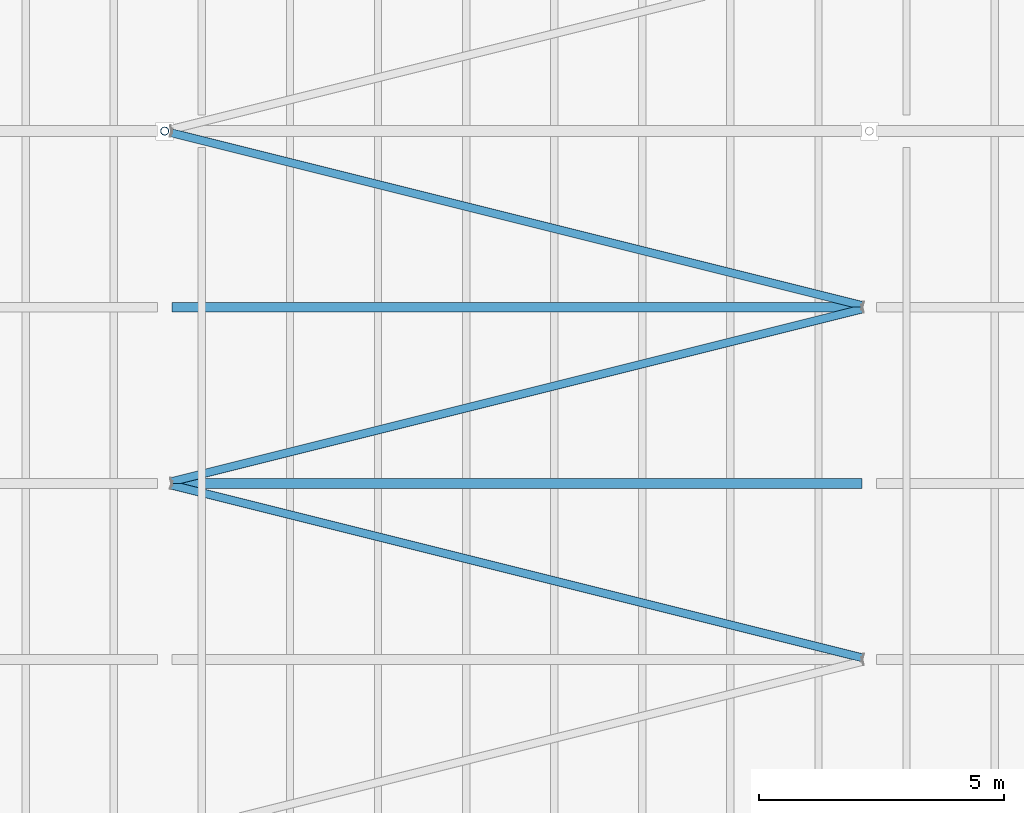
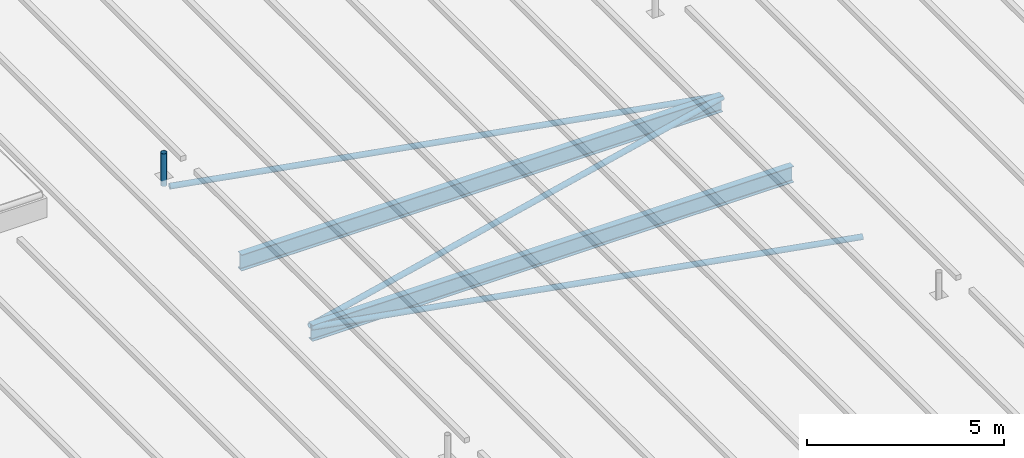
# One storey, part 48 of 120: 4 members, 2 beams.
"""IFC4 building model written with IfcOpenShell, lengths in metres."""

from ifc_helpers import new_model, si_unit, direction, frame, origin, origin_2d, place, context, subcontext, project, spatial, hollow_circle, i_section, extrude, material, material_profile, profile_set, type_object, element, save


model = new_model("IFC4")

# Units and contexts
model_context = context("Model", 3, precision=1e-05, world=origin(), true_north=direction((0.0, 1.0)))
body_context = subcontext(model_context, "Body", "Model", "MODEL_VIEW")
ifc_project = project(units=[si_unit("LENGTHUNIT", "METRE"), si_unit("AREAUNIT", "SQUARE_METRE"), si_unit("VOLUMEUNIT", "CUBIC_METRE"), si_unit("PLANEANGLEUNIT", "RADIAN"), si_unit("MASSUNIT", "GRAM", prefix="KILO")], contexts=[model_context])

# Site, building, storey
site_placement = place(None, origin())
site = spatial("IfcSite", under=ifc_project, at=site_placement, CompositionType="ELEMENT")
building_placement = place(site_placement, origin())
building = spatial("IfcBuilding", under=site, at=building_placement, Name="Kupolbacken Congress Centre", CompositionType="ELEMENT")
storey_placement = place(building_placement, frame((0.0, 0.0, 21.60009765625)))
storey = spatial("IfcBuildingStorey", under=building, at=storey_placement, Name="L06", CompositionType="ELEMENT", Elevation=21.60009765625)

# Beams
ifc_material_1 = material(Name="Steel S355", Category="steel")
ifc_material_profile_1 = material_profile(ifc_material_1, i_section(OverallWidth=0.199951171875, OverallDepth=0.5, WebThickness=0.01025390625, FlangeThickness=0.01611328125, FilletRadius=0.02099609375, at=origin_2d()), Name="IPE 500")
ifc_profile_set_1 = profile_set([ifc_material_profile_1], Name="Steel S355")
beam_type = type_object("IfcBeamType", Name="B09 beam IPE 500", PredefinedType="BEAM", material=ifc_profile_set_1)
for number, where, z_axis, x_axis, name in (
    (1, (151.344970703125, 90.0, -0.25), (1.0, 0.0, 0.0), (0.0, 1.0, 0.0), "HR/P13-05"),
    (2, (151.344970703125, 93.60009765625, -0.25), (1.0, 0.0, 0.0), (0.0, 1.0, 0.0), "HR/P14-05"),
):
    element("IfcBeam", number, at=place(storey_placement, frame(where, z_axis=z_axis, x_axis=x_axis)), inside=storey, type_object=beam_type, Name=name, PredefinedType="BEAM", context=body_context, shape_type="SweptSolid", body=[
        extrude(i_section(OverallWidth=0.199951171875, OverallDepth=0.5, WebThickness=0.01025390625, FlangeThickness=0.01611328125, FilletRadius=0.02099609375, at=origin_2d()), origin(), (0.0, 0.0, 1.0), 14.110107421875),
    ])

# Members
ifc_material_2 = material(Name="Steel S355", Category="steel")
ifc_material_profile_2 = material_profile(ifc_material_2, hollow_circle(Radius=0.084228515625, WallThickness=0.008056640625, at=origin_2d()), Name="CHS 168.3 x 8")
ifc_profile_set_2 = profile_set([ifc_material_profile_2], Name="Steel S355")
member_type_1 = type_object("IfcMemberType", Name="M20 transfer truss post CHS 168.3 x 8", PredefinedType="STRUT", material=ifc_profile_set_2)
member_placement = place(storey_placement, frame((151.199951171875, 97.199951171875, -0.010009765625), z_axis=(0.0, 0.0, 1.0), x_axis=(1.0, 0.0, 0.0)))
element("IfcMember", 3, at=member_placement, inside=storey, type_object=member_type_1, Name="Roof stay anchor post M5N.1", PredefinedType="STRUT", context=body_context, shape_type="SweptSolid", body=[
    extrude(hollow_circle(Radius=0.084228515625, WallThickness=0.008056640625, at=origin_2d()), origin(), (0.0, 0.0, 1.0), 1.010009765625),
])
ifc_material_3 = material(Name="Steel S355", Category="steel")
ifc_material_profile_3 = material_profile(ifc_material_3, hollow_circle(Radius=0.084228515625, WallThickness=0.008056640625, at=origin_2d()), Name="CHS 168.3 x 8")
ifc_profile_set_3 = profile_set([ifc_material_profile_3], Name="Steel S355")
member_type_2 = type_object("IfcMemberType", Name="M21 brace CHS 168.3 x 8", PredefinedType="BRACE", material=ifc_profile_set_3)
for number, where, z_axis, x_axis, name in (
    (4, (165.459228515625, 86.43505859375, -0.084228515625), (-0.970140526498, 0.24254351949, 0.0), (-0.24254351949, -0.970140526498, 0.0), "HR/RB/05-12"),
    (5, (151.340576171875, 90.03515625, -0.084228515625), (0.970140526498, 0.24254351949, 0.0), (-0.24254351949, 0.970140526498, 0.0), "HR/RB/05-13"),
    (6, (165.459228515625, 93.63525390625, -0.084228515625), (-0.970144473737, 0.242527730535, 0.0), (-0.242527730535, -0.970144473737, 0.0), "HR/RB/05-14"),
):
    element("IfcMember", number, at=place(storey_placement, frame(where, z_axis=z_axis, x_axis=x_axis)), inside=storey, type_object=member_type_2, Name=name, PredefinedType="BRACE", context=body_context, shape_type="SweptSolid", body=[
        extrude(hollow_circle(Radius=0.084228515625, WallThickness=0.008056640625, at=origin_2d()), origin(), (0.0, 0.0, 1.0), 14.55322265625),
    ])

save(model, "model.ifc")
